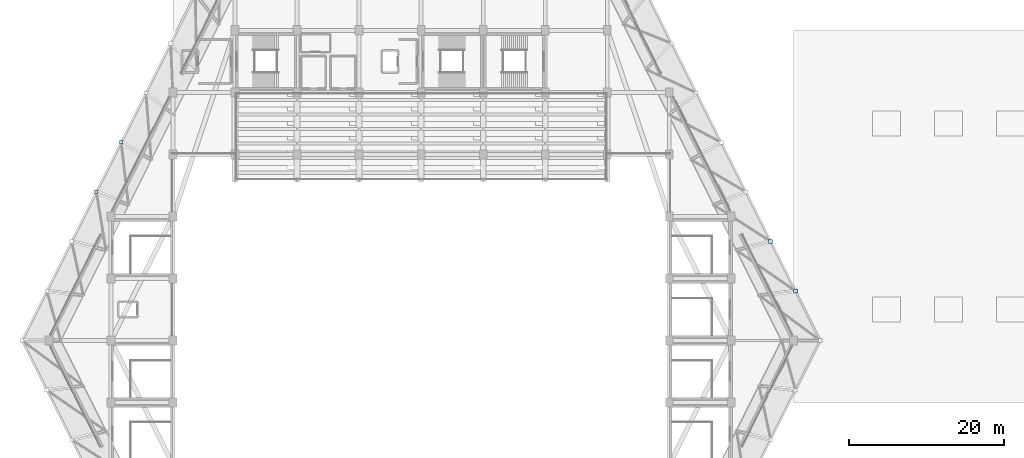
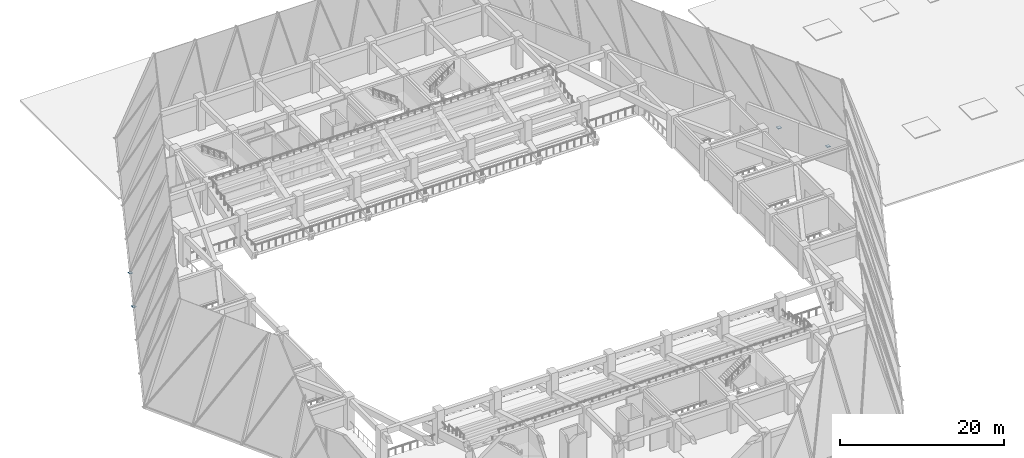
# One storey, part 11 of 24: 4 plates.
"""IFC4 building model written with IfcOpenShell, lengths in metres."""

import ifcopenshell
import ifcopenshell.guid

model = None  # the IFC model being written
_history = None  # IfcOwnerHistory: only IFC2X3 demands one
_inside = {}  # id of a spatial element -> (the spatial element, [elements in it])
_under = {}  # id of a project, library or spatial element -> (it, [spatial elements below it])
_declared = {}  # id of a project -> (the project, [libraries it declares])
_typed = {}  # id of a type object -> (the type object, [elements of that type])
_made_of = {}  # id of a material, layer set ... -> (it, [elements and type objects made of it])


def new_model(schema):
    """Start an empty IFC model of exactly this schema.

    Asked for "IFC4X3", IfcOpenShell would pick the latest addendum, in which some entities
    have other attributes; the version numbers below select the first issue.
    IFC2X3 requires an IfcOwnerHistory on every rooted entity: one is made here for all.
    """
    global model, _history
    if schema == "IFC4X3":
        model = ifcopenshell.file(schema_version=(4, 3, 0, 0))
    else:
        model = ifcopenshell.file(schema=schema)
    _inside.clear()
    _under.clear()
    _declared.clear()
    _typed.clear()
    _made_of.clear()
    _history = None
    if model.schema == "IFC2X3":
        org = make("IfcOrganization", Name="unknown")
        user = make(
            "IfcPersonAndOrganization",
            ThePerson=make("IfcPerson", FamilyName="unknown"),
            TheOrganization=org,
        )
        app = make(
            "IfcApplication",
            ApplicationDeveloper=org,
            Version="unknown",
            ApplicationFullName="unknown",
            ApplicationIdentifier="unknown",
        )
        _history = make(
            "IfcOwnerHistory",
            OwningUser=user,
            OwningApplication=app,
            ChangeAction="ADDED",
            CreationDate=0,
        )
    return model


def make(cls, **values):
    """One entity of the class cls with the attributes given. An attribute that is None is left unset."""
    return model.create_entity(
        cls, **{name: value for name, value in values.items() if value is not None}
    )


def rooted(cls, **values):
    """An entity with a GlobalId (a new one), such as an element, a storey or a relation."""
    return make(cls, GlobalId=ifcopenshell.guid.new(), OwnerHistory=_history, **values)


def si_unit(unit_type, name, prefix=None):
    """IfcSIUnit, for example si_unit("LENGTHUNIT", "METRE", prefix="MILLI")."""
    return make("IfcSIUnit", UnitType=unit_type, Prefix=prefix, Name=name)


def assignment(units):
    """IfcUnitAssignment: the units of a project."""
    return None if units is None else make("IfcUnitAssignment", Units=units)


def point(xyz):
    """IfcCartesianPoint."""
    return None if xyz is None else make("IfcCartesianPoint", Coordinates=xyz)


def direction(xyz):
    """IfcDirection."""
    return None if xyz is None else make("IfcDirection", DirectionRatios=xyz)


def frame(location, z_axis=None, x_axis=None):
    """IfcAxis2Placement3D, a coordinate frame: its origin and axes. An axis left out is left unset."""
    return make(
        "IfcAxis2Placement3D",
        Location=point(location),
        Axis=direction(z_axis),
        RefDirection=direction(x_axis),
    )


def frame_2d(location, x_axis=None):
    """IfcAxis2Placement2D, a coordinate frame in the plane: its origin and x axis."""
    return make(
        "IfcAxis2Placement2D", Location=point(location), RefDirection=direction(x_axis)
    )


def origin():
    """The frame at (0, 0, 0) with its axes left unset."""
    return frame((0.0, 0.0, 0.0))


def origin_2d():
    """The frame at (0, 0) in the plane with its x axis left unset."""
    return frame_2d((0.0, 0.0))


def place(relative_to, where):
    """IfcLocalPlacement: puts the frame where relative to a parent placement (None: the world)."""
    return make(
        "IfcLocalPlacement", PlacementRelTo=relative_to, RelativePlacement=where
    )


def context(
    kind, dimensions, precision=None, world=None, true_north=None, identifier=None
):
    """IfcGeometricRepresentationContext, for example the 3D "Model" context."""
    return make(
        "IfcGeometricRepresentationContext",
        ContextIdentifier=identifier,
        ContextType=kind,
        CoordinateSpaceDimension=dimensions,
        Precision=precision,
        WorldCoordinateSystem=world,
        TrueNorth=true_north,
    )


def subcontext(parent, identifier, kind, view, scale=None):
    """IfcGeometricRepresentationSubContext, for example "Body" below "Model"."""
    return make(
        "IfcGeometricRepresentationSubContext",
        ContextIdentifier=identifier,
        ContextType=kind,
        ParentContext=parent,
        TargetScale=scale,
        TargetView=view,
    )


def project(units=None, contexts=None):
    """IfcProject with its units and contexts."""
    return rooted(
        "IfcProject",
        Name="project",
        RepresentationContexts=contexts,
        UnitsInContext=assignment(units),
    )


def spatial(cls, under=None, at=None, **own):
    """A site, building, storey or space (cls), placed at a placement, below another one or the project."""
    s = rooted(cls, ObjectPlacement=at, **own)
    if under is not None:
        _under.setdefault(under.id(), (under, []))[1].append(s)
    return s


def profile(cls, at=None, kind="AREA", **sizes):
    """A parametric profile (cls). Its sizes go by their IFC names, for example OverallWidth=200.0."""
    return make(cls, ProfileType=kind, Position=at, **sizes)


def rectangle(**sizes):
    """IfcRectangleProfileDef."""
    return profile("IfcRectangleProfileDef", **sizes)


def extrude(swept, where, along, depth):
    """IfcExtrudedAreaSolid: the profile swept, set in the frame where, extruded along a direction by depth."""
    return make(
        "IfcExtrudedAreaSolid",
        SweptArea=swept,
        Position=where,
        ExtrudedDirection=direction(along),
        Depth=depth,
    )


def shape(context_of_items, identifier, shape_type, items):
    """IfcShapeRepresentation: the items that make up one representation, for example the "Body"."""
    return make(
        "IfcShapeRepresentation",
        ContextOfItems=context_of_items,
        RepresentationIdentifier=identifier,
        RepresentationType=shape_type,
        Items=items,
    )


def material(Name=None, Category=None):
    """IfcMaterial."""
    return make("IfcMaterial", Name=Name, Category=Category)


def layer(
    of_material, thickness, ventilated=None, Name=None, Category=None, Priority=None
):
    """IfcMaterialLayer: one layer of a wall or slab, of a material (None: an air gap)."""
    return make(
        "IfcMaterialLayer",
        Material=of_material,
        LayerThickness=thickness,
        IsVentilated=ventilated,
        Name=Name,
        Category=Category,
        Priority=Priority,
    )


def layer_set(layers, Name=None):
    """IfcMaterialLayerSet."""
    return make("IfcMaterialLayerSet", MaterialLayers=layers, LayerSetName=Name)


def made_of(thing, what):
    """Note that an element or type object is made of a material, layer set ...; save() writes the relation."""
    if what is not None:
        _made_of.setdefault(what.id(), (what, []))[1].append(thing)
    return thing


def type_object(cls, material=None, **own):
    """A type object (cls), such as IfcWallType, which elements share."""
    return made_of(rooted(cls, **own), material)


def element(
    cls,
    number,
    at=None,
    inside=None,
    cuts=None,
    type_object=None,
    material=None,
    context=None,
    identifier="Body",
    shape_type=None,
    held_by="IfcProductDefinitionShape",
    body=None,
    shapes=None,
    **own,
):
    """One element of the class cls, such as IfcWall. Its Tag is "e" and its number.

    at: its placement. inside: the storey or other place that contains it. cuts: it is an
    opening in that element (IfcRelVoidsElement). A single representation is given by context,
    identifier, shape_type and body (its items); several are given by shapes. held_by: the class
    of the entity that holds the representations. save() writes the other relations.
    """
    e = rooted(cls, Tag="e%d" % number, ObjectPlacement=at, **own)
    if body is not None:
        shapes = [shape(context, identifier, shape_type, body)]
    if shapes is not None:
        e.Representation = make(held_by, Representations=shapes)
    if inside is not None:
        _inside.setdefault(inside.id(), (inside, []))[1].append(e)
    if cuts is not None:
        rooted(
            "IfcRelVoidsElement", RelatingBuildingElement=cuts, RelatedOpeningElement=e
        )
    if type_object is not None:
        _typed.setdefault(type_object.id(), (type_object, []))[1].append(e)
    return made_of(e, material)


def aggregate(whole, parts):
    """IfcRelAggregates: a whole, such as a stair, and the parts it consists of."""
    return rooted("IfcRelAggregates", RelatingObject=whole, RelatedObjects=parts)


def save(model, path):
    """Write the relations noted so far, then the file.

    IfcRelAggregates (storeys below a building ...), IfcRelContainedInSpatialStructure (elements
    in a storey), IfcRelDefinesByType, IfcRelAssociatesMaterial and IfcRelDeclares: one each for
    every whole, place, type object, material and project.
    """
    for whole, parts in _under.values():
        aggregate(whole, parts)
    for where, things in _inside.values():
        rooted(
            "IfcRelContainedInSpatialStructure",
            RelatedElements=things,
            RelatingStructure=where,
        )
    for kind, things in _typed.values():
        rooted("IfcRelDefinesByType", RelatedObjects=things, RelatingType=kind)
    for what, things in _made_of.values():
        rooted("IfcRelAssociatesMaterial", RelatedObjects=things, RelatingMaterial=what)
    for by, libraries in _declared.values():
        rooted("IfcRelDeclares", RelatingContext=by, RelatedDefinitions=libraries)
    model.write(path)


model = new_model("IFC4")

# Units and contexts
model_context = context("Model", 3, precision=1e-05, world=origin(), true_north=direction((0.0, 1.0)))
body_context = subcontext(model_context, "Body", "Model", "MODEL_VIEW")
ifc_project = project(units=[si_unit("LENGTHUNIT", "METRE"), si_unit("AREAUNIT", "SQUARE_METRE"), si_unit("VOLUMEUNIT", "CUBIC_METRE"), si_unit("PLANEANGLEUNIT", "RADIAN"), si_unit("MASSUNIT", "GRAM", prefix="KILO")], contexts=[model_context])

# Site, building, storey
site_placement = place(None, origin())
site = spatial("IfcSite", under=ifc_project, at=site_placement, CompositionType="ELEMENT")
building_placement = place(site_placement, origin())
building = spatial("IfcBuilding", under=site, at=building_placement, Name="Tazarka Park Arena", CompositionType="ELEMENT")
storey_placement = place(building_placement, frame((0.0, 0.0, 15.0)))
storey = spatial("IfcBuildingStorey", under=building, at=storey_placement, Name="L03", CompositionType="ELEMENT", Elevation=15.0)

# Plates
ifc_material_1 = material(Name="Steel S460", Category="steel")
ifc_layer_1 = layer(ifc_material_1, 0.029052734375, Name="Steel S460")
ifc_layer_set_1 = layer_set([ifc_layer_1], Name="Steel S460")
plate_type_1 = type_object("IfcPlateType", Name="PLT-PL-16", PredefinedType="USERDEFINED", material=ifc_layer_set_1)
plate_1_placement = place(storey_placement, frame((49.30908203125, 89.550048828125, -0.0146484375), z_axis=(0.0, 0.0, 1.0), x_axis=(1.0, 0.0, 0.0)))
element("IfcPlate", 1, at=plate_1_placement, inside=storey, type_object=plate_type_1, Name="GMP-W-36", ObjectType="STIFFENER", PredefinedType="USERDEFINED", context=body_context, shape_type="SweptSolid", body=[
    extrude(rectangle(XDim=0.449951171875, YDim=0.449951171875, at=origin_2d()), origin(), (0.0, 0.0, 1.0), 0.029052734375),
])
ifc_material_2 = material(Name="Steel S460", Category="steel")
ifc_layer_2 = layer(ifc_material_2, 0.031005859375, Name="Steel S460")
ifc_layer_set_2 = layer_set([ifc_layer_2], Name="Steel S460")
plate_type_2 = type_object("IfcPlateType", Name="PLT-PL-17", PredefinedType="USERDEFINED", material=ifc_layer_set_2)
plate_2_placement = place(storey_placement, frame((46.115234375, 83.16259765625, -0.015625), z_axis=(0.0, 0.0, 1.0), x_axis=(1.0, 0.0, 0.0)))
element("IfcPlate", 2, at=plate_2_placement, inside=storey, type_object=plate_type_2, Name="GMP-W-37", ObjectType="STIFFENER", PredefinedType="USERDEFINED", context=body_context, shape_type="SweptSolid", body=[
    extrude(rectangle(XDim=0.469970703125, YDim=0.469970703125, at=origin_2d()), origin(), (0.0, 0.0, 1.0), 0.031005859375),
])
ifc_material_3 = material(Name="Steel S460", Category="steel")
ifc_layer_3 = layer(ifc_material_3, 0.032958984375, Name="Steel S460")
ifc_layer_set_3 = layer_set([ifc_layer_3], Name="Steel S460")
plate_type_3 = type_object("IfcPlateType", Name="PLT-PL-18", PredefinedType="USERDEFINED", material=ifc_layer_set_3)
plate_3_placement = place(storey_placement, frame((136.272216796875, 70.387451171875, -0.0166015625), z_axis=(0.0, 0.0, 1.0), x_axis=(1.0, 0.0, 0.0)))
element("IfcPlate", 3, at=plate_3_placement, inside=storey, type_object=plate_type_3, Name="GMP-W-17", ObjectType="STIFFENER", PredefinedType="USERDEFINED", context=body_context, shape_type="SweptSolid", body=[
    extrude(rectangle(XDim=0.489990234375, YDim=0.489990234375, at=origin_2d()), origin(), (0.0, 0.0, 1.0), 0.032958984375),
])
ifc_material_4 = material(Name="Steel S460", Category="steel")
ifc_layer_4 = layer(ifc_material_4, 0.034912109375, Name="Steel S460")
ifc_layer_set_4 = layer_set([ifc_layer_4], Name="Steel S460")
plate_type_4 = type_object("IfcPlateType", Name="PLT-PL-19", PredefinedType="USERDEFINED", material=ifc_layer_set_4)
plate_4_placement = place(storey_placement, frame((133.078369140625, 76.77490234375, -0.017578125), z_axis=(0.0, 0.0, 1.0), x_axis=(1.0, 0.0, 0.0)))
element("IfcPlate", 4, at=plate_4_placement, inside=storey, type_object=plate_type_4, Name="GMP-W-18", ObjectType="STIFFENER", PredefinedType="USERDEFINED", context=body_context, shape_type="SweptSolid", body=[
    extrude(rectangle(XDim=0.510009765625, YDim=0.510009765625, at=origin_2d()), origin(), (0.0, 0.0, 1.0), 0.034912109375),
])

save(model, "model.ifc")
